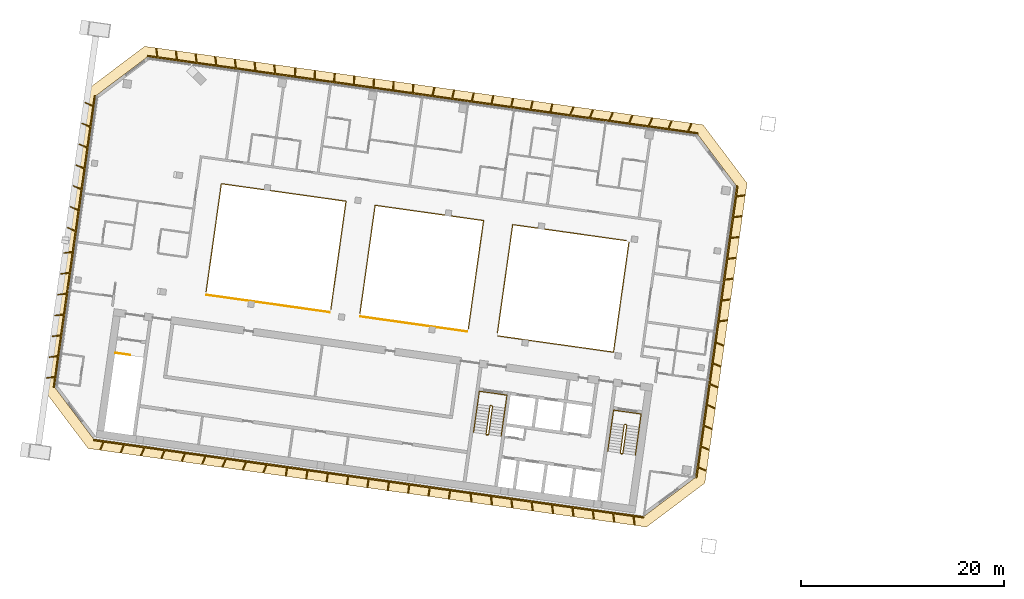
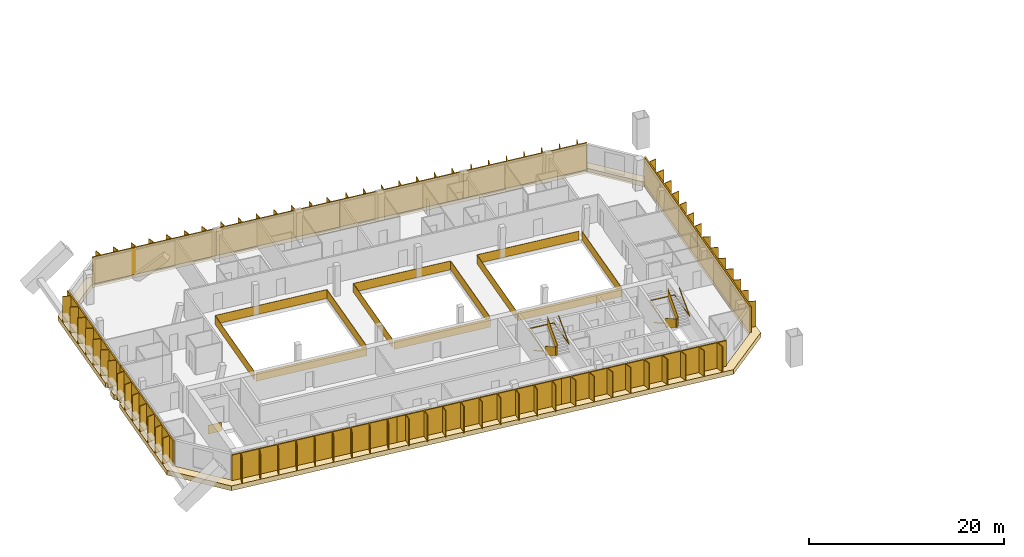
# One storey, part 31 of 32: 11 railings, 11 shading devices, 1 covering.
"""IFC4 building model written with IfcOpenShell, lengths in metres."""

from ifc_helpers import new_model, si_unit, direction, frame, origin, origin_2d, place, context, subcontext, project, spatial, polyline, rectangle, outline, extrude, material, layer, layer_set, type_object, element, save


model = new_model("IFC4")

# Units and contexts
model_context = context("Model", 3, precision=1e-05, world=origin(), true_north=direction((0.0, 1.0)))
body_context = subcontext(model_context, "Body", "Model", "MODEL_VIEW")
ifc_project = project(units=[si_unit("LENGTHUNIT", "METRE"), si_unit("AREAUNIT", "SQUARE_METRE"), si_unit("VOLUMEUNIT", "CUBIC_METRE"), si_unit("PLANEANGLEUNIT", "RADIAN"), si_unit("MASSUNIT", "GRAM", prefix="KILO")], contexts=[model_context])

# Site, building, storey
site_placement = place(None, origin())
site = spatial("IfcSite", under=ifc_project, at=site_placement, CompositionType="ELEMENT")
building_placement = place(site_placement, origin())
building = spatial("IfcBuilding", under=site, at=building_placement, Name="Mirante Cascada Hotel Towers", CompositionType="ELEMENT")
storey_placement = place(building_placement, frame((0.0, 0.0, 176.4)))
storey = spatial("IfcBuildingStorey", under=building, at=storey_placement, Name="L41", CompositionType="ELEMENT", Elevation=176.4)

# Railings
ifc_material_1 = material(Name="Toughened glass with stainless steel handrail", Category="steel")
railing_type_1 = type_object("IfcRailingType", Name="Atrium guard 1100 glass balustrade", PredefinedType="GUARDRAIL", material=ifc_material_1)
railing_1_placement = place(storey_placement, frame((-37.864, 6.7125, 0.0)))
element("IfcRailing", 1, at=railing_1_placement, inside=storey, type_object=railing_type_1, Name="GUARD 1-L41-1", PredefinedType="GUARDRAIL", context=body_context, shape_type="SweptSolid", body=[
    extrude(rectangle(XDim=0.048, YDim=0.048, at=origin_2d()), frame((0.0, 0.0, 1.076), z_axis=(-0.1391712, -0.9902683, 0.0), x_axis=(0.9902683, -0.1391712, 0.0)), (0.0, 0.0, 1.0), 10.9333),
    extrude(rectangle(XDim=0.02, YDim=1.052, at=origin_2d()), frame((0.0, 0.0, 0.526), z_axis=(-0.1391712, -0.9902683, 0.0), x_axis=(0.9902683, -0.1391712, 0.0)), (0.0, 0.0, 1.0), 10.9333),
    extrude(rectangle(XDim=0.048, YDim=0.048, at=origin_2d()), frame((-1.5216, -10.8269, 1.076), z_axis=(-0.9902679, 0.139174, 0.0), x_axis=(-0.139174, -0.9902679, 0.0)), (0.0, 0.0, 1.0), 11.5266),
    extrude(rectangle(XDim=0.02, YDim=1.052, at=origin_2d()), frame((-1.5216, -10.8269, 0.526), z_axis=(-0.9902679, 0.139174, 0.0), x_axis=(-0.139174, -0.9902679, 0.0)), (0.0, 0.0, 1.0), 11.5266),
    extrude(rectangle(XDim=0.048, YDim=0.048, at=origin_2d()), frame((-12.936, -9.2227, 1.076), z_axis=(1.0, 0.0, 0.0), x_axis=(0.0, 1.0, 0.0)), (0.0, 0.0, 1.0), 0.0001),
    extrude(rectangle(XDim=0.02, YDim=1.052, at=origin_2d()), frame((-12.936, -9.2227, 0.526), z_axis=(1.0, 0.0, 0.0), x_axis=(0.0, 1.0, 0.0)), (0.0, 0.0, 1.0), 0.0001),
])
railing_2_placement = place(storey_placement, frame((-53.7708, -2.0926, 0.0)))
element("IfcRailing", 2, at=railing_2_placement, inside=storey, type_object=railing_type_1, Name="GUARD 1-L41-2", PredefinedType="GUARDRAIL", context=body_context, shape_type="SweptSolid", body=[
    extrude(rectangle(XDim=0.048, YDim=0.048, at=origin_2d()), frame((0.0, 0.0, 1.076), z_axis=(-0.9902684, 0.139171, 0.0), x_axis=(-0.139171, -0.9902684, 0.0)), (0.0, 0.0, 1.0), 10.6775),
    extrude(rectangle(XDim=0.02, YDim=1.052, at=origin_2d()), frame((0.0, 0.0, 0.526), z_axis=(-0.9902684, 0.139171, 0.0), x_axis=(-0.139171, -0.9902684, 0.0)), (0.0, 0.0, 1.0), 10.6775),
])
railing_3_placement = place(storey_placement, frame((-67.3152, -0.1891, 0.0)))
element("IfcRailing", 3, at=railing_3_placement, inside=storey, type_object=railing_type_1, Name="GUARD 1-L41-3", PredefinedType="GUARDRAIL", context=body_context, shape_type="SweptSolid", body=[
    extrude(rectangle(XDim=0.048, YDim=0.048, at=origin_2d()), frame((0.0, 0.0, 1.076), z_axis=(-0.9902677, 0.1391757, 0.0), x_axis=(-0.1391757, -0.9902677, 0.0)), (0.0, 0.0, 1.0), 12.296),
    extrude(rectangle(XDim=0.02, YDim=1.052, at=origin_2d()), frame((0.0, 0.0, 0.526), z_axis=(-0.9902677, 0.1391757, 0.0), x_axis=(-0.1391757, -0.9902677, 0.0)), (0.0, 0.0, 1.0), 12.296),
    extrude(rectangle(XDim=0.048, YDim=0.048, at=origin_2d()), frame((-12.1763, 1.7113, 1.076), z_axis=(0.9902511, -0.1392936, 0.0), x_axis=(0.1392936, 0.9902511, 0.0)), (0.0, 0.0, 1.0), 0.1185),
    extrude(rectangle(XDim=0.02, YDim=1.052, at=origin_2d()), frame((-12.1763, 1.7113, 0.526), z_axis=(0.9902511, -0.1392936, 0.0), x_axis=(0.1392936, 0.9902511, 0.0)), (0.0, 0.0, 1.0), 0.1185),
])
railing_4_placement = place(storey_placement, frame((-67.2255, 0.0968, 0.0)))
element("IfcRailing", 4, at=railing_4_placement, inside=storey, type_object=railing_type_1, Name="GUARD 1-L41-4", PredefinedType="GUARDRAIL", context=body_context, shape_type="SweptSolid", body=[
    extrude(rectangle(XDim=0.048, YDim=0.048, at=origin_2d()), frame((0.0, 0.0, 1.076), z_axis=(0.1391702, 0.9902685, 0.0), x_axis=(-0.9902685, 0.1391702, 0.0)), (0.0, 0.0, 1.0), 10.7545),
    extrude(rectangle(XDim=0.02, YDim=1.052, at=origin_2d()), frame((0.0, 0.0, 0.526), z_axis=(0.1391702, 0.9902685, 0.0), x_axis=(-0.9902685, 0.1391702, 0.0)), (0.0, 0.0, 1.0), 10.7545),
    extrude(rectangle(XDim=0.048, YDim=0.048, at=origin_2d()), frame((1.4967, 10.6498, 1.076), z_axis=(-0.9902687, 0.1391688, 0.0), x_axis=(-0.1391688, -0.9902687, 0.0)), (0.0, 0.0, 1.0), 12.395),
    extrude(rectangle(XDim=0.02, YDim=1.052, at=origin_2d()), frame((1.4967, 10.6498, 0.526), z_axis=(-0.9902687, 0.1391688, 0.0), x_axis=(-0.1391688, -0.9902687, 0.0)), (0.0, 0.0, 1.0), 12.395),
    extrude(rectangle(XDim=0.048, YDim=0.048, at=origin_2d()), frame((-10.7777, 12.3748, 1.076), z_axis=(-0.1391689, -0.9902687, 0.0), x_axis=(0.9902687, -0.1391689, 0.0)), (0.0, 0.0, 1.0), 10.7546),
    extrude(rectangle(XDim=0.02, YDim=1.052, at=origin_2d()), frame((-10.7777, 12.3748, 0.526), z_axis=(-0.1391689, -0.9902687, 0.0), x_axis=(0.9902687, -0.1391689, 0.0)), (0.0, 0.0, 1.0), 10.7546),
])
railing_5_placement = place(storey_placement, frame((-53.6811, -1.8067, 0.0)))
element("IfcRailing", 5, at=railing_5_placement, inside=storey, type_object=railing_type_1, Name="GUARD 1-L41-5", PredefinedType="GUARDRAIL", context=body_context, shape_type="SweptSolid", body=[
    extrude(rectangle(XDim=0.048, YDim=0.048, at=origin_2d()), frame((0.0, 0.0, 1.076), z_axis=(0.1391715, 0.9902683, 0.0), x_axis=(-0.9902683, 0.1391715, 0.0)), (0.0, 0.0, 1.0), 10.7544),
    extrude(rectangle(XDim=0.02, YDim=1.052, at=origin_2d()), frame((0.0, 0.0, 0.526), z_axis=(0.1391715, 0.9902683, 0.0), x_axis=(-0.9902683, 0.1391715, 0.0)), (0.0, 0.0, 1.0), 10.7544),
    extrude(rectangle(XDim=0.048, YDim=0.048, at=origin_2d()), frame((1.4967, 10.6497, 1.076), z_axis=(-0.9902677, 0.1391759, 0.0), x_axis=(-0.1391759, -0.9902677, 0.0)), (0.0, 0.0, 1.0), 10.7756),
    extrude(rectangle(XDim=0.02, YDim=1.052, at=origin_2d()), frame((1.4967, 10.6497, 0.526), z_axis=(-0.9902677, 0.1391759, 0.0), x_axis=(-0.1391759, -0.9902677, 0.0)), (0.0, 0.0, 1.0), 10.7756),
    extrude(rectangle(XDim=0.048, YDim=0.048, at=origin_2d()), frame((-9.174, 12.1494, 1.076), z_axis=(-0.1391715, -0.9902683, 0.0), x_axis=(0.9902683, -0.1391715, 0.0)), (0.0, 0.0, 1.0), 10.7544),
    extrude(rectangle(XDim=0.02, YDim=1.052, at=origin_2d()), frame((-9.174, 12.1494, 0.526), z_axis=(-0.1391715, -0.9902683, 0.0), x_axis=(0.9902683, -0.1391715, 0.0)), (0.0, 0.0, 1.0), 10.7544),
])
railing_6_placement = place(storey_placement, frame((-38.1213, 6.8666, 0.0)))
element("IfcRailing", 6, at=railing_6_placement, inside=storey, type_object=railing_type_1, Name="GUARD 1-L41-6", PredefinedType="GUARDRAIL", context=body_context, shape_type="SweptSolid", body=[
    extrude(rectangle(XDim=0.048, YDim=0.048, at=origin_2d()), frame((0.0, 0.0, 1.076), z_axis=(-0.9902689, 0.1391672, 0.0), x_axis=(-0.1391672, -0.9902689, 0.0)), (0.0, 0.0, 1.0), 11.2994),
    extrude(rectangle(XDim=0.02, YDim=1.052, at=origin_2d()), frame((0.0, 0.0, 0.526), z_axis=(-0.9902689, 0.1391672, 0.0), x_axis=(-0.1391672, -0.9902689, 0.0)), (0.0, 0.0, 1.0), 11.2994),
    extrude(rectangle(XDim=0.048, YDim=0.048, at=origin_2d()), frame((-11.1894, 1.5725, 1.076), z_axis=(-0.1391715, -0.9902683, 0.0), x_axis=(0.9902683, -0.1391715, 0.0)), (0.0, 0.0, 1.0), 10.7544),
    extrude(rectangle(XDim=0.02, YDim=1.052, at=origin_2d()), frame((-11.1894, 1.5725, 0.526), z_axis=(-0.1391715, -0.9902683, 0.0), x_axis=(0.9902683, -0.1391715, 0.0)), (0.0, 0.0, 1.0), 10.7544),
])

# Covering
ifc_material_2 = material(Name="Precast concrete C40/50 white", Category="concrete")
ifc_layer = layer(ifc_material_2, 0.6)
ifc_layer_set = layer_set([ifc_layer], Name="Precast concrete SUNSHADE band 1000x600")
covering_type = type_object("IfcCoveringType", Name="Precast concrete SUNSHADE band 1000x600", PredefinedType="CLADDING", material=ifc_layer_set)
covering_placement = place(storey_placement, frame((0.0, 0.0, -0.45)))
element("IfcCovering", 7, at=covering_placement, inside=storey, type_object=covering_type, Name="Precast concrete SUNSHADE band T1 L41", PredefinedType="CLADDING", context=body_context, shape_type="SweptSolid", body=[
    extrude(outline(polyline([(-95.4528, -7.862), (-93.6483, 4.9781), (-93.621, 4.9796), (-93.58, 4.986), (-93.5399, 4.9964), (-93.501, 5.0107), (-93.4636, 5.0287), (-93.4283, 5.0503), (-93.3951, 5.0753), (-93.3647, 5.1034), (-93.3371, 5.1343), (-93.3126, 5.1678), (-93.2916, 5.2036), (-93.2742, 5.2412), (-93.2605, 5.2803), (-93.2508, 5.3206), (-93.1253, 5.9786), (-93.1196, 6.0197), (-93.1179, 6.0611), (-93.1202, 6.1025), (-93.1267, 6.1435), (-93.1371, 6.1836), (-93.1513, 6.2225), (-93.1694, 6.2599), (-93.191, 6.2953), (-93.2159, 6.3284), (-93.244, 6.3589), (-93.275, 6.3865), (-93.3085, 6.4109), (-93.3442, 6.4319), (-93.3818, 6.4494), (-93.421, 6.463), (-93.439, 6.4674), (-93.3154, 7.3468), (-93.2969, 7.346), (-93.2555, 7.3483), (-93.2145, 7.3547), (-93.1744, 7.3651), (-93.1354, 7.3793), (-93.0981, 7.3973), (-93.0627, 7.4189), (-93.0295, 7.4439), (-92.999, 7.4719), (-92.9714, 7.5029), (-92.9469, 7.5363), (-92.9259, 7.5721), (-92.9084, 7.6097), (-92.8947, 7.6488), (-92.885, 7.6891), (-92.8792, 7.7301), (-92.8184, 8.3972), (-92.8166, 8.4387), (-92.819, 8.4801), (-92.8254, 8.521), (-92.8357, 8.5612), (-92.85, 8.6001), (-92.868, 8.6375), (-92.8895, 8.6729), (-92.9145, 8.706), (-92.9425, 8.7365), (-92.9735, 8.7641), (-93.007, 8.7886), (-93.0427, 8.8096), (-93.0803, 8.8271), (-93.106, 8.8361), (-91.3015, 21.6761), (-85.5574, 26.0046), (-30.5593, 18.2752), (-26.2308, 12.5311), (-30.3821, -17.0071), (-36.1262, -21.3356), (-91.1243, -13.6061), (-95.4528, -7.862)]), holes=[polyline([(-27.2787, 12.26), (-31.1086, 17.3425), (-85.2864, 24.9567), (-90.3689, 21.1268), (-94.4049, -7.591), (-90.575, -12.6735), (-36.3972, -20.2877), (-31.3147, -16.4577), (-27.2787, 12.26)])]), origin(), (0.0, 0.0, 1.0), 0.6),
])

# Railings
ifc_material_3 = material(Name="Painted steel", Category="steel")
railing_type_2 = type_object("IfcRailingType", Name="Stair guard 1100 steel balustrade", PredefinedType="GUARDRAIL", material=ifc_material_3)
railing_7_placement = place(storey_placement, frame((-38.1178, -11.2603, 0.0)))
element("IfcRailing", 8, at=railing_7_placement, inside=storey, type_object=railing_type_2, Name="L41 ST1-A stair guard 1", PredefinedType="GUARDRAIL", context=body_context, shape_type="SweptSolid", body=[
    extrude(rectangle(XDim=0.048, YDim=0.048, at=origin_2d()), frame((0.0, 0.0, 1.076), z_axis=(-0.9903326, 0.1387133, 0.0), x_axis=(-0.1387133, -0.9903326, 0.0)), (0.0, 0.0, 1.0), 0.1499),
    extrude(rectangle(XDim=0.02, YDim=1.052, at=origin_2d()), frame((0.0, 0.0, 0.526), z_axis=(-0.9903326, 0.1387133, 0.0), x_axis=(-0.1387133, -0.9903326, 0.0)), (0.0, 0.0, 1.0), 0.1499),
    extrude(rectangle(XDim=0.048, YDim=0.048, at=origin_2d()), frame((-0.1485, 0.0208, 1.076), z_axis=(-0.7991505, -0.6011309, 0.0), x_axis=(0.6011309, -0.7991505, 0.0)), (0.0, 0.9254529, 0.3788627), 0.1866),
    extrude(rectangle(XDim=0.02, YDim=1.052, at=origin_2d()), frame((-0.1485, 0.0208, 0.526), z_axis=(-0.7991505, -0.6011309, 0.0), x_axis=(0.6011309, -0.7991505, 0.0)), (0.0, 0.9254529, 0.3788627), 0.1866),
    extrude(rectangle(XDim=0.048, YDim=0.048, at=origin_2d()), frame((-0.205, -0.0217, 1.2487), z_axis=(-0.139176, -0.9902677, 0.0), x_axis=(0.9902677, -0.139176, 0.0)), (0.0, 0.5250212, 0.8510891), 3.29),
    extrude(rectangle(XDim=0.02, YDim=1.052, at=origin_2d()), frame((-0.205, -0.0217, 0.6987), z_axis=(-0.139176, -0.9902677, 0.0), x_axis=(0.9902677, -0.139176, 0.0)), (0.0, 0.5250212, 0.8510891), 3.29),
    extrude(rectangle(XDim=0.048, YDim=0.048, at=origin_2d()), frame((-0.5947, -2.7945, 2.976), z_axis=(0.9270311, -0.3749843, 0.0), x_axis=(0.3749843, 0.9270311, 0.0)), (0.0, 0.0, 1.0), 0.2061),
    extrude(rectangle(XDim=0.02, YDim=1.052, at=origin_2d()), frame((-0.5947, -2.7945, 2.426), z_axis=(0.9270311, -0.3749843, 0.0), x_axis=(0.3749843, 0.9270311, 0.0)), (0.0, 0.0, 1.0), 0.2061),
    extrude(rectangle(XDim=0.048, YDim=0.048, at=origin_2d()), frame((-0.4036, -2.8718, 2.976), z_axis=(-0.9902408, 0.1393672, 0.0), x_axis=(-0.1393672, -0.9902408, 0.0)), (0.0, 0.0, 1.0), 0.15),
    extrude(rectangle(XDim=0.02, YDim=1.052, at=origin_2d()), frame((-0.4036, -2.8718, 2.426), z_axis=(-0.9902408, 0.1393672, 0.0), x_axis=(-0.1393672, -0.9902408, 0.0)), (0.0, 0.0, 1.0), 0.15),
    extrude(rectangle(XDim=0.048, YDim=0.048, at=origin_2d()), frame((-0.5521, -2.8509, 2.976), z_axis=(0.9944948, 0.1047858, 0.0), x_axis=(-0.1047858, 0.9944948, 0.0)), (0.0, 0.6422034, 0.7665343), 0.2689),
    extrude(rectangle(XDim=0.02, YDim=1.052, at=origin_2d()), frame((-0.5521, -2.8509, 2.426), z_axis=(0.9944948, 0.1047858, 0.0), x_axis=(-0.1047858, 0.9944948, 0.0)), (0.0, 0.6422034, 0.7665343), 0.2689),
    extrude(rectangle(XDim=0.048, YDim=0.048, at=origin_2d()), frame((-0.3471, -2.8293, 3.1487), z_axis=(0.139176, 0.9902677, 0.0), x_axis=(-0.9902677, 0.139176, 0.0)), (0.0, 0.5250212, 0.8510891), 3.29),
    extrude(rectangle(XDim=0.02, YDim=1.052, at=origin_2d()), frame((-0.3471, -2.8293, 2.5987), z_axis=(0.139176, 0.9902677, 0.0), x_axis=(-0.9902677, 0.139176, 0.0)), (0.0, 0.5250212, 0.8510891), 3.29),
])
railing_8_placement = place(storey_placement, frame((-51.3379, -9.4024, 0.0)))
element("IfcRailing", 9, at=railing_8_placement, inside=storey, type_object=railing_type_2, Name="L41 ST1-B stair guard 1", PredefinedType="GUARDRAIL", context=body_context, shape_type="SweptSolid", body=[
    extrude(rectangle(XDim=0.048, YDim=0.048, at=origin_2d()), frame((0.0, 0.0, 1.076), z_axis=(-0.9902408, 0.1393672, 0.0), x_axis=(-0.1393672, -0.9902408, 0.0)), (0.0, 0.0, 1.0), 0.15),
    extrude(rectangle(XDim=0.02, YDim=1.052, at=origin_2d()), frame((0.0, 0.0, 0.526), z_axis=(-0.9902408, 0.1393672, 0.0), x_axis=(-0.1393672, -0.9902408, 0.0)), (0.0, 0.0, 1.0), 0.15),
    extrude(rectangle(XDim=0.048, YDim=0.048, at=origin_2d()), frame((-0.1485, 0.0209, 1.076), z_axis=(-0.7984711, -0.6020331, 0.0), x_axis=(0.6020331, -0.7984711, 0.0)), (0.0, 0.9253398, 0.3791387), 0.1866),
    extrude(rectangle(XDim=0.02, YDim=1.052, at=origin_2d()), frame((-0.1485, 0.0209, 0.526), z_axis=(-0.7984711, -0.6020331, 0.0), x_axis=(0.6020331, -0.7984711, 0.0)), (0.0, 0.9253398, 0.3791387), 0.1866),
    extrude(rectangle(XDim=0.048, YDim=0.048, at=origin_2d()), frame((-0.205, -0.0217, 1.2487), z_axis=(-0.139181, -0.990267, 0.0), x_axis=(0.990267, -0.139181, 0.0)), (0.0, 0.5250347, 0.8510808), 3.2899),
    extrude(rectangle(XDim=0.02, YDim=1.052, at=origin_2d()), frame((-0.205, -0.0217, 0.6987), z_axis=(-0.139181, -0.990267, 0.0), x_axis=(0.990267, -0.139181, 0.0)), (0.0, 0.5250347, 0.8510808), 3.2899),
    extrude(rectangle(XDim=0.048, YDim=0.048, at=origin_2d()), frame((-0.5947, -2.7944, 2.976), z_axis=(0.9268624, -0.3754011, 0.0), x_axis=(0.3754011, 0.9268624, 0.0)), (0.0, 0.0, 1.0), 0.2062),
    extrude(rectangle(XDim=0.02, YDim=1.052, at=origin_2d()), frame((-0.5947, -2.7944, 2.426), z_axis=(0.9268624, -0.3754011, 0.0), x_axis=(0.3754011, 0.9268624, 0.0)), (0.0, 0.0, 1.0), 0.2062),
    extrude(rectangle(XDim=0.048, YDim=0.048, at=origin_2d()), frame((-0.4036, -2.8718, 2.976), z_axis=(-0.9902408, 0.1393672, 0.0), x_axis=(-0.1393672, -0.9902408, 0.0)), (0.0, 0.0, 1.0), 0.15),
    extrude(rectangle(XDim=0.02, YDim=1.052, at=origin_2d()), frame((-0.4036, -2.8718, 2.426), z_axis=(-0.9902408, 0.1393672, 0.0), x_axis=(-0.1393672, -0.9902408, 0.0)), (0.0, 0.0, 1.0), 0.15),
    extrude(rectangle(XDim=0.048, YDim=0.048, at=origin_2d()), frame((-0.5521, -2.8509, 2.976), z_axis=(0.9944441, 0.1052656, 0.0), x_axis=(-0.1052656, 0.9944441, 0.0)), (0.0, 0.6421842, 0.7665504), 0.2689),
    extrude(rectangle(XDim=0.02, YDim=1.052, at=origin_2d()), frame((-0.5521, -2.8509, 2.426), z_axis=(0.9944441, 0.1052656, 0.0), x_axis=(-0.1052656, 0.9944441, 0.0)), (0.0, 0.6421842, 0.7665504), 0.2689),
    extrude(rectangle(XDim=0.048, YDim=0.048, at=origin_2d()), frame((-0.3471, -2.8292, 3.1487), z_axis=(0.139181, 0.990267, 0.0), x_axis=(-0.990267, 0.139181, 0.0)), (0.0, 0.5250347, 0.8510808), 3.2899),
    extrude(rectangle(XDim=0.02, YDim=1.052, at=origin_2d()), frame((-0.3471, -2.8292, 2.5987), z_axis=(0.139181, 0.990267, 0.0), x_axis=(-0.990267, 0.139181, 0.0)), (0.0, 0.5250347, 0.8510808), 3.2899),
])
railing_9_placement = place(storey_placement, frame((-88.4729, -4.1834, 0.0)))
element("IfcRailing", 10, at=railing_9_placement, inside=storey, type_object=railing_type_2, Name="L41 ST1-C top well guard 1", PredefinedType="GUARDRAIL", context=body_context, shape_type="SweptSolid", body=[
    extrude(rectangle(XDim=0.048, YDim=0.048, at=origin_2d()), frame((0.0, 0.0, 1.076), z_axis=(0.9902643, -0.1391997, 0.0), x_axis=(0.1391997, 0.9902643, 0.0)), (0.0, 0.0, 1.0), 1.5),
    extrude(rectangle(XDim=0.02, YDim=1.052, at=origin_2d()), frame((0.0, 0.0, 0.526), z_axis=(0.9902643, -0.1391997, 0.0), x_axis=(0.1391997, 0.9902643, 0.0)), (0.0, 0.0, 1.0), 1.5),
])
ifc_material_4 = material(Name="Painted steel", Category="steel")
railing_type_3 = type_object("IfcRailingType", Name="Stair handrail 900 steel tube", PredefinedType="HANDRAIL", material=ifc_material_4)
railing_10_placement = place(storey_placement, frame((-39.5606, -11.1081, 0.1727)))
element("IfcRailing", 11, at=railing_10_placement, inside=storey, type_object=railing_type_3, Name="L41 ST1-A stair handrail 1", PredefinedType="HANDRAIL", context=body_context, shape_type="SweptSolid", body=[
    extrude(rectangle(XDim=0.048, YDim=0.048, at=origin_2d()), frame((0.0, 0.0, 0.876), z_axis=(-0.139181, -0.990267, 0.0), x_axis=(0.990267, -0.139181, 0.0)), (0.0, 0.5250347, 0.8510808), 3.2899),
    extrude(rectangle(XDim=0.048, YDim=0.048, at=origin_2d()), frame((-0.3897, -2.7727, 2.6033), z_axis=(0.1391707, 0.9902684, 0.0), x_axis=(-0.9902684, 0.1391707, 0.0)), (0.0, 0.0420846, 0.999114), 4.1036),
    extrude(rectangle(XDim=0.048, YDim=0.048, at=origin_2d()), frame((0.1809, 1.2874, 2.776), z_axis=(0.9902691, -0.1391657, 0.0), x_axis=(0.1391657, 0.9902691, 0.0)), (0.0, 0.0, 1.0), 2.75),
    extrude(rectangle(XDim=0.048, YDim=0.048, at=origin_2d()), frame((2.9041, 0.9047, 2.776), z_axis=(-0.1391707, -0.9902684, 0.0), x_axis=(0.9902684, -0.1391707, 0.0)), (0.0, 0.0, 1.0), 4.1),
    extrude(rectangle(XDim=0.048, YDim=0.048, at=origin_2d()), frame((2.3335, -3.1554, 2.776), z_axis=(0.139181, 0.990267, 0.0), x_axis=(-0.990267, 0.139181, 0.0)), (0.0, 0.5250347, 0.8510808), 3.2899),
])
railing_11_placement = place(storey_placement, frame((-52.7807, -9.2501, 0.1727)))
element("IfcRailing", 12, at=railing_11_placement, inside=storey, type_object=railing_type_3, Name="L41 ST1-B stair handrail 1", PredefinedType="HANDRAIL", context=body_context, shape_type="SweptSolid", body=[
    extrude(rectangle(XDim=0.048, YDim=0.048, at=origin_2d()), frame((0.0, 0.0, 0.876), z_axis=(-0.139181, -0.990267, 0.0), x_axis=(0.990267, -0.139181, 0.0)), (0.0, 0.5250347, 0.8510808), 3.2899),
    extrude(rectangle(XDim=0.048, YDim=0.048, at=origin_2d()), frame((-0.3897, -2.7727, 2.6033), z_axis=(0.1391707, 0.9902684, 0.0), x_axis=(-0.9902684, 0.1391707, 0.0)), (0.0, 0.0420846, 0.999114), 4.1036),
    extrude(rectangle(XDim=0.048, YDim=0.048, at=origin_2d()), frame((0.1809, 1.2874, 2.776), z_axis=(0.9902641, -0.1392013, 0.0), x_axis=(0.1392013, 0.9902641, 0.0)), (0.0, 0.0, 1.0), 2.75),
    extrude(rectangle(XDim=0.048, YDim=0.048, at=origin_2d()), frame((2.9041, 0.9046, 2.776), z_axis=(-0.1391707, -0.9902684, 0.0), x_axis=(0.9902684, -0.1391707, 0.0)), (0.0, 0.0, 1.0), 4.1),
    extrude(rectangle(XDim=0.048, YDim=0.048, at=origin_2d()), frame((2.3335, -3.1555, 2.776), z_axis=(0.139176, 0.9902677, 0.0), x_axis=(-0.9902677, 0.139176, 0.0)), (0.0, 0.5250212, 0.8510891), 3.29),
])

# Shading devices
ifc_material_5 = material(Name="White precast concrete C50/60 fin", Category="concrete")
shading_device_type = type_object("IfcShadingDeviceType", Name="Vertical fin set 4500x900", PredefinedType="USERDEFINED", material=ifc_material_5)
shading_device_1_placement = place(storey_placement, origin())
element("IfcShadingDevice", 13, at=shading_device_1_placement, inside=storey, type_object=shading_device_type, Name="FIN T1 L41 front 1", ObjectType="FIN", PredefinedType="USERDEFINED", context=body_context, shape_type="SweptSolid", body=[
    extrude(outline(polyline([(-72.6608, 23.3338), (-71.7211, 23.2017), (-71.742, 23.0532), (-85.2864, 24.9567), (-85.2655, 25.1053), (-84.3523, 24.9769), (-84.4544, 25.8082), (-84.375, 25.8179), (-84.2703, 24.9654), (-82.4174, 24.705), (-82.5195, 25.5363), (-82.4401, 25.546), (-82.3354, 24.6935), (-80.4825, 24.433), (-80.5846, 25.2643), (-80.5052, 25.2741), (-80.4005, 24.4215), (-78.5476, 24.1611), (-78.6496, 24.9924), (-78.5702, 25.0021), (-78.4656, 24.1496), (-76.6127, 23.8892), (-76.7147, 24.7205), (-76.6353, 24.7302), (-76.5306, 23.8777), (-74.6777, 23.6172), (-74.7798, 24.4485), (-74.7004, 24.4583), (-74.5957, 23.6057), (-72.7428, 23.3453), (-72.8449, 24.1766), (-72.7655, 24.1863), (-72.6608, 23.3338)])), origin(), (0.0, 0.0, 1.0), 3.35),
])
shading_device_2_placement = place(storey_placement, origin())
element("IfcShadingDevice", 14, at=shading_device_2_placement, inside=storey, type_object=shading_device_type, Name="FIN T1 L41 front 2", ObjectType="FIN", PredefinedType="USERDEFINED", context=body_context, shape_type="SweptSolid", body=[
    extrude(outline(polyline([(-59.1087, 21.4292), (-58.1766, 21.2982), (-58.1975, 21.1496), (-71.742, 23.0532), (-71.7211, 23.2017), (-70.7977, 23.0719), (-70.7534, 23.9171), (-70.6735, 23.9129), (-70.7182, 23.0608), (-68.8628, 22.8), (-68.8185, 23.6452), (-68.7386, 23.641), (-68.7833, 22.7888), (-66.9279, 22.5281), (-66.8836, 23.3732), (-66.8037, 23.369), (-66.8484, 22.5169), (-64.993, 22.2561), (-64.9487, 23.1013), (-64.8688, 23.0971), (-64.9134, 22.245), (-63.058, 21.9842), (-63.0137, 22.8294), (-62.9339, 22.8252), (-62.9785, 21.973), (-61.1231, 21.7123), (-61.0788, 22.5574), (-60.9989, 22.5532), (-61.0436, 21.7011), (-59.1882, 21.4403), (-59.1439, 22.2855), (-59.064, 22.2813), (-59.1087, 21.4292)])), origin(), (0.0, 0.0, 1.0), 3.35),
])
shading_device_3_placement = place(storey_placement, origin())
element("IfcShadingDevice", 15, at=shading_device_3_placement, inside=storey, type_object=shading_device_type, Name="FIN T1 L41 front 3", ObjectType="FIN", PredefinedType="USERDEFINED", context=body_context, shape_type="SweptSolid", body=[
    extrude(outline(polyline([(-45.5556, 19.5244), (-44.6322, 19.3946), (-44.6531, 19.2461), (-58.1975, 21.1496), (-58.1766, 21.2982), (-57.2446, 21.1672), (-57.0527, 21.9986), (-56.9747, 21.9806), (-57.1651, 21.156), (-55.3097, 20.8952), (-55.1177, 21.7267), (-55.0398, 21.7087), (-55.2302, 20.8841), (-53.3748, 20.6233), (-53.1828, 21.4547), (-53.1049, 21.4368), (-53.2952, 20.6121), (-51.4399, 20.3514), (-51.2479, 21.1828), (-51.17, 21.1648), (-51.3603, 20.3402), (-49.5049, 20.0794), (-49.313, 20.9109), (-49.235, 20.8929), (-49.4254, 20.0683), (-47.57, 19.8075), (-47.3781, 20.6389), (-47.3001, 20.6209), (-47.4905, 19.7963), (-45.6351, 19.5356), (-45.4431, 20.367), (-45.3652, 20.349), (-45.5556, 19.5244)])), origin(), (0.0, 0.0, 1.0), 3.35),
])
shading_device_4_placement = place(storey_placement, origin())
element("IfcShadingDevice", 16, at=shading_device_4_placement, inside=storey, type_object=shading_device_type, Name="FIN T1 L41 front 4", ObjectType="FIN", PredefinedType="USERDEFINED", context=body_context, shape_type="SweptSolid", body=[
    extrude(outline(polyline([(-32.001, 17.6194), (-31.0878, 17.4911), (-31.1086, 17.3425), (-44.6531, 19.2461), (-44.6322, 19.3946), (-43.6925, 19.2626), (-43.3569, 20.0532), (-43.2832, 20.022), (-43.6105, 19.251), (-41.7576, 18.9906), (-41.4219, 19.7813), (-41.3483, 19.75), (-41.6755, 18.9791), (-39.8226, 18.7187), (-39.487, 19.5094), (-39.4134, 19.4781), (-39.7406, 18.7072), (-37.8877, 18.4467), (-37.5521, 19.2374), (-37.4785, 19.2062), (-37.8057, 18.4352), (-35.9528, 18.1748), (-35.6172, 18.9655), (-35.5435, 18.9342), (-35.8708, 18.1633), (-34.0179, 17.9029), (-33.6823, 18.6935), (-33.6086, 18.6623), (-33.9359, 17.8913), (-32.083, 17.6309), (-31.7473, 18.4216), (-31.6737, 18.3904), (-32.001, 17.6194)])), origin(), (0.0, 0.0, 1.0), 3.35),
])
shading_device_5_placement = place(storey_placement, origin())
element("IfcShadingDevice", 17, at=shading_device_5_placement, inside=storey, type_object=shading_device_type, Name="FIN T1 L41 inner 1", ObjectType="FIN", PredefinedType="USERDEFINED", context=body_context, shape_type="SweptSolid", body=[
    extrude(outline(polyline([(-29.0079, -1.1218), (-29.1482, -2.1197), (-29.2967, -2.0988), (-27.2787, 12.26), (-27.1302, 12.2392), (-27.2667, 11.2678), (-26.4354, 11.3699), (-26.4257, 11.2905), (-27.2782, 11.1858), (-27.555, 9.2165), (-26.7237, 9.3186), (-26.714, 9.2392), (-27.5665, 9.1345), (-27.8433, 7.1653), (-27.012, 7.2673), (-27.0022, 7.1879), (-27.8548, 7.0833), (-28.1316, 5.114), (-27.3003, 5.2161), (-27.2905, 5.1367), (-28.1431, 5.032), (-28.4198, 3.0627), (-27.5886, 3.1648), (-27.5788, 3.0854), (-28.4314, 2.9807), (-28.7081, 1.0115), (-27.8769, 1.1135), (-27.8671, 1.0341), (-28.7197, 0.9294), (-28.9964, -1.0398), (-28.1651, -0.9377), (-28.1554, -1.0171), (-29.0079, -1.1218)])), origin(), (0.0, 0.0, 1.0), 3.35),
])
shading_device_6_placement = place(storey_placement, origin())
element("IfcShadingDevice", 18, at=shading_device_6_placement, inside=storey, type_object=shading_device_type, Name="FIN T1 L41 inner 2", ObjectType="FIN", PredefinedType="USERDEFINED", context=body_context, shape_type="SweptSolid", body=[
    extrude(outline(polyline([(-31.0297, -15.5072), (-31.1662, -16.4786), (-31.3147, -16.4577), (-29.2967, -2.0988), (-29.1482, -2.1197), (-29.2884, -3.1176), (-28.4978, -3.4532), (-28.529, -3.5269), (-29.3, -3.1996), (-29.5767, -5.1689), (-28.786, -5.5045), (-28.8173, -5.5781), (-29.5882, -5.2509), (-29.865, -7.2201), (-29.0743, -7.5558), (-29.1056, -7.6294), (-29.8765, -7.3022), (-30.1533, -9.2714), (-29.3626, -9.607), (-29.3939, -9.6807), (-30.1648, -9.3534), (-30.4416, -11.3227), (-29.6509, -11.6583), (-29.6822, -11.7319), (-30.4531, -11.4047), (-30.7299, -13.374), (-29.9392, -13.7096), (-29.9705, -13.7832), (-30.7414, -13.456), (-31.0182, -15.4252), (-30.2275, -15.7608), (-30.2587, -15.8345), (-31.0297, -15.5072)])), origin(), (0.0, 0.0, 1.0), 3.35),
])
shading_device_7_placement = place(storey_placement, origin())
element("IfcShadingDevice", 19, at=shading_device_7_placement, inside=storey, type_object=shading_device_type, Name="FIN T1 L41 outer 1", ObjectType="FIN", PredefinedType="USERDEFINED", context=body_context, shape_type="SweptSolid", body=[
    extrude(outline(polyline([(-94.4054, -6.5167), (-94.1286, -4.5475), (-94.9599, -4.6495), (-94.9697, -4.5701), (-94.1171, -4.4655), (-93.8403, -2.4962), (-94.6716, -2.5983), (-94.6814, -2.5189), (-93.8288, -2.4142), (-93.5521, -0.4449), (-94.3833, -0.547), (-94.3931, -0.4676), (-93.5405, -0.3629), (-93.2638, 1.6063), (-94.095, 1.5043), (-94.1048, 1.5837), (-93.2522, 1.6883), (-92.9755, 3.6576), (-93.8068, 3.5555), (-93.8165, 3.6349), (-92.964, 3.7396), (-92.6872, 5.7089), (-93.5185, 5.6068), (-93.5282, 5.6862), (-92.6757, 5.7909), (-92.5354, 6.7888), (-92.3869, 6.7679), (-94.4049, -7.591), (-94.5534, -7.5701), (-94.4169, -6.5987), (-95.2482, -6.7008), (-95.2579, -6.6214), (-94.4054, -6.5167)])), origin(), (0.0, 0.0, 1.0), 3.35),
])
shading_device_8_placement = place(storey_placement, origin())
element("IfcShadingDevice", 20, at=shading_device_8_placement, inside=storey, type_object=shading_device_type, Name="FIN T1 L41 outer 2", ObjectType="FIN", PredefinedType="USERDEFINED", context=body_context, shape_type="SweptSolid", body=[
    extrude(outline(polyline([(-92.3837, 7.8687), (-92.1069, 9.8379), (-92.8976, 10.1736), (-92.8663, 10.2472), (-92.0954, 9.92), (-91.8186, 11.8892), (-92.6093, 12.2248), (-92.578, 12.2985), (-91.8071, 11.9712), (-91.5303, 13.9405), (-92.321, 14.2761), (-92.2897, 14.3497), (-91.5188, 14.0225), (-91.242, 15.9918), (-92.0327, 16.3274), (-92.0014, 16.401), (-91.2305, 16.0738), (-90.9537, 18.043), (-91.7444, 18.3786), (-91.7132, 18.4523), (-90.9422, 18.125), (-90.6655, 20.0943), (-91.4561, 20.4299), (-91.4249, 20.5036), (-90.6539, 20.1763), (-90.5174, 21.1477), (-90.3689, 21.1268), (-92.3869, 6.7679), (-92.5354, 6.7888), (-92.3952, 7.7867), (-93.1859, 8.1223), (-93.1546, 8.1959), (-92.3837, 7.8687)])), origin(), (0.0, 0.0, 1.0), 3.35),
])
shading_device_9_placement = place(storey_placement, origin())
element("IfcShadingDevice", 21, at=shading_device_9_placement, inside=storey, type_object=shading_device_type, Name="FIN T1 L41 rear 1", ObjectType="FIN", PredefinedType="USERDEFINED", context=body_context, shape_type="SweptSolid", body=[
    extrude(outline(polyline([(-37.4491, -20.2913), (-39.3737, -20.0208), (-39.2716, -20.8521), (-39.351, -20.8618), (-39.4557, -20.0093), (-41.3803, -19.7388), (-41.2782, -20.5701), (-41.3576, -20.5798), (-41.4623, -19.7273), (-43.3869, -19.4568), (-43.2848, -20.2881), (-43.3642, -20.2978), (-43.4689, -19.4453), (-45.3934, -19.1748), (-45.2914, -20.0061), (-45.3708, -20.0158), (-45.4755, -19.1633), (-47.4, -18.8928), (-47.298, -19.7241), (-47.3774, -19.7338), (-47.482, -18.8813), (-49.4066, -18.6108), (-49.3045, -19.4421), (-49.3839, -19.4518), (-49.4886, -18.5992), (-51.4132, -18.3288), (-51.3111, -19.16), (-51.3905, -19.1698), (-51.4952, -18.3172), (-53.4198, -18.0468), (-53.3177, -18.878), (-53.3971, -18.8878), (-53.5018, -18.0352), (-54.4773, -17.8981), (-54.4565, -17.7496), (-36.3972, -20.2877), (-36.4181, -20.4362), (-37.3671, -20.3028), (-37.265, -21.1341), (-37.3444, -21.1438), (-37.4491, -20.2913)])), origin(), (0.0, 0.0, 1.0), 3.35),
])
shading_device_10_placement = place(storey_placement, origin())
element("IfcShadingDevice", 22, at=shading_device_10_placement, inside=storey, type_object=shading_device_type, Name="FIN T1 L41 rear 2", ObjectType="FIN", PredefinedType="USERDEFINED", context=body_context, shape_type="SweptSolid", body=[
    extrude(outline(polyline([(-55.5202, -17.7516), (-57.4476, -17.4807), (-57.5659, -18.3224), (-57.6451, -18.3113), (-57.5268, -17.4696), (-59.4542, -17.1987), (-59.5725, -18.0404), (-59.6517, -18.0293), (-59.5334, -17.1875), (-61.4608, -16.9167), (-61.5791, -17.7584), (-61.6583, -17.7473), (-61.54, -16.9055), (-63.4674, -16.6347), (-63.5857, -17.4764), (-63.6649, -17.4653), (-63.5466, -16.6235), (-65.4739, -16.3527), (-65.5922, -17.1944), (-65.6715, -17.1833), (-65.5532, -16.3415), (-67.4805, -16.0707), (-67.5988, -16.9124), (-67.678, -16.9012), (-67.5597, -16.0595), (-69.4871, -15.7886), (-69.6054, -16.6304), (-69.6846, -16.6192), (-69.5663, -15.7775), (-71.4937, -15.5066), (-71.612, -16.3484), (-71.6912, -16.3372), (-71.5729, -15.4955), (-72.5366, -15.3601), (-72.5157, -15.2115), (-54.4565, -17.7496), (-54.4773, -17.8981), (-55.441, -17.7627), (-55.5593, -18.6044), (-55.6385, -18.5933), (-55.5202, -17.7516)])), origin(), (0.0, 0.0, 1.0), 3.35),
])
shading_device_11_placement = place(storey_placement, origin())
element("IfcShadingDevice", 23, at=shading_device_11_placement, inside=storey, type_object=shading_device_type, Name="FIN T1 L41 rear 3", ObjectType="FIN", PredefinedType="USERDEFINED", context=body_context, shape_type="SweptSolid", body=[
    extrude(outline(polyline([(-73.5942, -15.2114), (-75.5187, -14.941), (-75.8544, -15.7316), (-75.928, -15.7004), (-75.6007, -14.9294), (-77.5253, -14.659), (-77.8609, -15.4496), (-77.9346, -15.4184), (-77.6073, -14.6474), (-79.5319, -14.3769), (-79.8675, -15.1676), (-79.9412, -15.1364), (-79.6139, -14.3654), (-81.5385, -14.0949), (-81.8741, -14.8856), (-81.9477, -14.8543), (-81.6205, -14.0834), (-83.5451, -13.8129), (-83.8807, -14.6036), (-83.9543, -14.5723), (-83.6271, -13.8014), (-85.5516, -13.5309), (-85.8873, -14.3216), (-85.9609, -14.2903), (-85.6337, -13.5194), (-87.5582, -13.2489), (-87.8939, -14.0396), (-87.9675, -14.0083), (-87.6402, -13.2374), (-89.5648, -12.9669), (-89.9004, -13.7576), (-89.9741, -13.7263), (-89.6468, -12.9554), (-90.5958, -12.822), (-90.575, -12.6735), (-72.5157, -15.2115), (-72.5366, -15.3601), (-73.5121, -15.223), (-73.8478, -16.0136), (-73.9214, -15.9824), (-73.5942, -15.2114)])), origin(), (0.0, 0.0, 1.0), 3.35),
])

save(model, "model.ifc")
